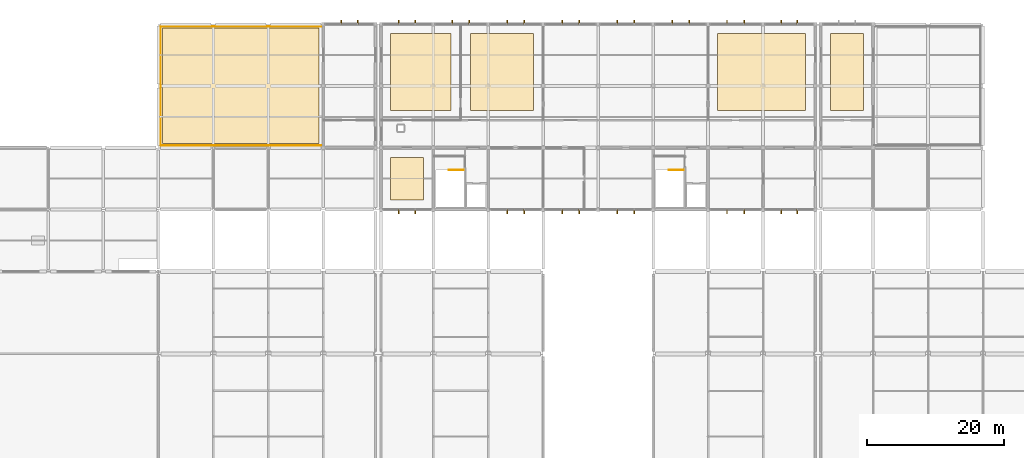
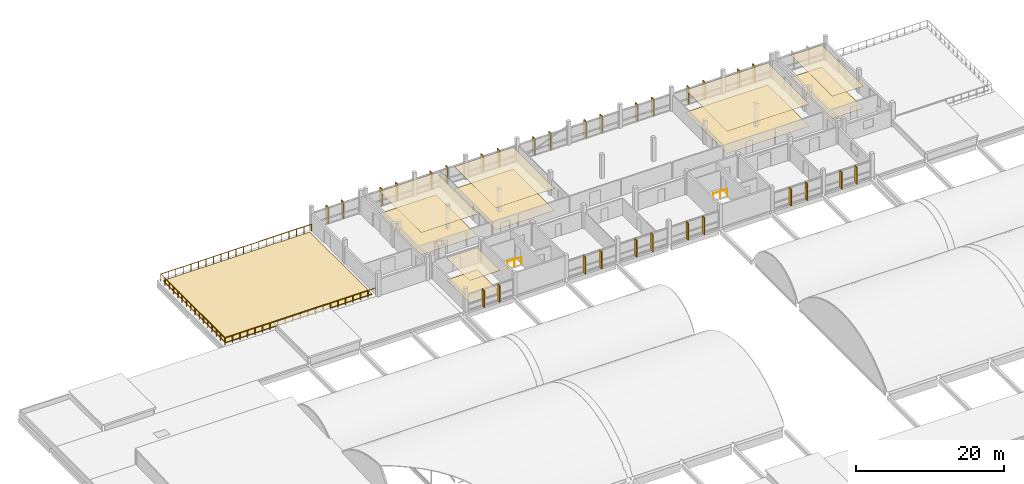
# One storey, part 56 of 57: 30 shading devices, 11 coverings, 3 railings.
"""IFC4 building model written with IfcOpenShell, lengths in metres."""

from ifc_helpers import new_model, si_unit, direction, frame, origin, origin_2d, place, context, subcontext, project, spatial, polyline, rectangle, circle, outline, extrude, material, layer, layer_set, type_object, element, save


model = new_model("IFC4")

# Units and contexts
model_context = context("Model", 3, precision=1e-05, world=origin(), true_north=direction((0.0, 1.0)))
body_context = subcontext(model_context, "Body", "Model", "MODEL_VIEW")
ifc_project = project(units=[si_unit("LENGTHUNIT", "METRE"), si_unit("AREAUNIT", "SQUARE_METRE"), si_unit("VOLUMEUNIT", "CUBIC_METRE"), si_unit("PLANEANGLEUNIT", "RADIAN"), si_unit("MASSUNIT", "GRAM", prefix="KILO"), si_unit("THERMODYNAMICTEMPERATUREUNIT", "KELVIN"), si_unit("POWERUNIT", "WATT")], contexts=[model_context])

# Site, building, storey
site_placement = place(None, origin())
site = spatial("IfcSite", under=ifc_project, at=site_placement, CompositionType="ELEMENT")
building_placement = place(site_placement, origin())
building = spatial("IfcBuilding", under=site, at=building_placement, Name="Kronsvod Quay Wholesale Market", CompositionType="ELEMENT")
storey_placement = place(building_placement, frame((0.0, 0.0, 13.199951171875)))
storey = spatial("IfcBuildingStorey", under=building, at=storey_placement, Name="L03", CompositionType="ELEMENT", Elevation=13.199951171875)

# Coverings
ifc_material_1 = material(Name="Perforated acoustic mineral-wool ceiling")
ifc_layer_1 = layer(ifc_material_1, 0.030029296875)
ifc_layer_set_1 = layer_set([ifc_layer_1], Name="Perforated acoustic mineral-wool ceiling")
covering_type_1 = type_object("IfcCoveringType", Name="Cov_Ceil01", PredefinedType="CEILING", material=ifc_layer_set_1)
covering_1_placement = place(storey_placement, frame((0.0, 0.0, 3.630126953125)))
element("IfcCovering", 1, at=covering_1_placement, inside=storey, type_object=covering_type_1, Name="CLG-SP-L03-V5-14A", PredefinedType="CEILING", context=body_context, shape_type="SweptSolid", body=[
    extrude(outline(polyline([(65.800048828125, 113.39990234375), (74.60009765625, 113.39990234375), (74.60009765625, 124.60009765625), (65.800048828125, 124.60009765625), (65.800048828125, 113.39990234375)])), origin(), (0.0, 0.0, 1.0), 0.030029296875),
])
ifc_material_2 = material(Name="Hygienic washable aluminium baffle ceiling", Category="aluminium")
ifc_layer_2 = layer(ifc_material_2, 0.034912109375)
ifc_layer_set_2 = layer_set([ifc_layer_2], Name="Hygienic washable aluminium baffle ceiling")
covering_type_2 = type_object("IfcCoveringType", Name="Cov_Ceil02", PredefinedType="CEILING", material=ifc_layer_set_2)
covering_2_placement = place(storey_placement, frame((0.0, 0.0, 3.625)))
element("IfcCovering", 2, at=covering_2_placement, inside=storey, type_object=covering_type_2, Name="CLG-SP-L03-V5-04", PredefinedType="CEILING", context=body_context, shape_type="SweptSolid", body=[
    extrude(outline(polyline([(65.800048828125, 100.39990234375), (70.60009765625, 100.39990234375), (70.60009765625, 106.60009765625), (65.800048828125, 106.60009765625), (65.800048828125, 100.39990234375)])), origin(), (0.0, 0.0, 1.0), 0.03515625),
])
ifc_material_3 = material(Name="Moisture-resistant gypsum board ceiling")
ifc_layer_3 = layer(ifc_material_3, 0.02490234375)
ifc_layer_set_3 = layer_set([ifc_layer_3], Name="Moisture-resistant gypsum board ceiling")
covering_type_3 = type_object("IfcCoveringType", Name="Cov_Ceil03", PredefinedType="CEILING", material=ifc_layer_set_3)
covering_3_placement = place(storey_placement, frame((0.0, 0.0, 3.635009765625)))
element("IfcCovering", 3, at=covering_3_placement, inside=storey, type_object=covering_type_3, Name="CLG-SP-L03-V5-14B", PredefinedType="CEILING", context=body_context, shape_type="SweptSolid", body=[
    extrude(outline(polyline([(77.39990234375, 113.39990234375), (86.60009765625, 113.39990234375), (86.60009765625, 124.60009765625), (77.39990234375, 124.60009765625), (77.39990234375, 113.39990234375)])), origin(), (0.0, 0.0, 1.0), 0.025146484375),
])
covering_4_placement = place(storey_placement, frame((0.0, 0.0, 3.635009765625)))
element("IfcCovering", 4, at=covering_4_placement, inside=storey, type_object=covering_type_3, Name="CLG-SP-L03-V5-16", PredefinedType="CEILING", context=body_context, shape_type="SweptSolid", body=[
    extrude(outline(polyline([(113.39990234375, 113.39990234375), (126.199951171875, 113.39990234375), (126.199951171875, 124.60009765625), (113.39990234375, 124.60009765625), (113.39990234375, 113.39990234375)])), origin(), (0.0, 0.0, 1.0), 0.025146484375),
])
covering_5_placement = place(storey_placement, frame((0.0, 0.0, 3.635009765625)))
element("IfcCovering", 5, at=covering_5_placement, inside=storey, type_object=covering_type_3, Name="CLG-SP-L03-V5-17E", PredefinedType="CEILING", context=body_context, shape_type="SweptSolid", body=[
    extrude(outline(polyline([(129.800048828125, 113.39990234375), (134.60009765625, 113.39990234375), (134.60009765625, 124.60009765625), (129.800048828125, 124.60009765625), (129.800048828125, 113.39990234375)])), origin(), (0.0, 0.0, 1.0), 0.025146484375),
])
ifc_material_4 = material(Name="Heavy-duty polyurethane resin market screed")
ifc_layer_4 = layer(ifc_material_4, 0.02001953125)
ifc_layer_set_4 = layer_set([ifc_layer_4], Name="Heavy-duty polyurethane resin market screed")
covering_type_4 = type_object("IfcCoveringType", Name="Cov_Floor01", PredefinedType="FLOORING", material=ifc_layer_set_4)
covering_6_placement = place(storey_placement, origin())
element("IfcCovering", 6, at=covering_6_placement, inside=storey, type_object=covering_type_4, Name="FLR-SP-L03-V5-14B", PredefinedType="FLOORING", context=body_context, shape_type="SweptSolid", body=[
    extrude(outline(polyline([(77.39990234375, 113.39990234375), (86.60009765625, 113.39990234375), (86.60009765625, 124.60009765625), (77.39990234375, 124.60009765625), (77.39990234375, 113.39990234375)])), origin(), (0.0, 0.0, 1.0), 0.02001953125),
])
covering_7_placement = place(storey_placement, origin())
element("IfcCovering", 7, at=covering_7_placement, inside=storey, type_object=covering_type_4, Name="FLR-SP-L03-V5-16", PredefinedType="FLOORING", context=body_context, shape_type="SweptSolid", body=[
    extrude(outline(polyline([(113.39990234375, 113.39990234375), (126.199951171875, 113.39990234375), (126.199951171875, 124.60009765625), (113.39990234375, 124.60009765625), (113.39990234375, 113.39990234375)])), origin(), (0.0, 0.0, 1.0), 0.02001953125),
])
covering_8_placement = place(storey_placement, origin())
element("IfcCovering", 8, at=covering_8_placement, inside=storey, type_object=covering_type_4, Name="FLR-SP-L03-V5-17E", PredefinedType="FLOORING", context=body_context, shape_type="SweptSolid", body=[
    extrude(outline(polyline([(129.800048828125, 113.39990234375), (134.60009765625, 113.39990234375), (134.60009765625, 124.60009765625), (129.800048828125, 124.60009765625), (129.800048828125, 113.39990234375)])), origin(), (0.0, 0.0, 1.0), 0.02001953125),
])
ifc_material_5 = material(Name="Polished terrazzo concourse flooring")
ifc_layer_5 = layer(ifc_material_5, 0.01806640625)
ifc_layer_set_5 = layer_set([ifc_layer_5], Name="Polished terrazzo concourse flooring")
covering_type_5 = type_object("IfcCoveringType", Name="Cov_Floor03", PredefinedType="FLOORING", material=ifc_layer_set_5)
covering_9_placement = place(storey_placement, origin())
element("IfcCovering", 9, at=covering_9_placement, inside=storey, type_object=covering_type_5, Name="FLR-SP-L03-V5-14A", PredefinedType="FLOORING", context=body_context, shape_type="SweptSolid", body=[
    extrude(outline(polyline([(65.800048828125, 113.39990234375), (74.60009765625, 113.39990234375), (74.60009765625, 124.60009765625), (65.800048828125, 124.60009765625), (65.800048828125, 113.39990234375)])), origin(), (0.0, 0.0, 1.0), 0.01806640625),
])
ifc_material_6 = material(Name="Antistatic laboratory vinyl flooring")
ifc_layer_6 = layer(ifc_material_6, 0.014892578125)
ifc_layer_set_6 = layer_set([ifc_layer_6], Name="Antistatic laboratory vinyl flooring")
covering_type_6 = type_object("IfcCoveringType", Name="Cov_Floor04", PredefinedType="FLOORING", material=ifc_layer_set_6)
covering_10_placement = place(storey_placement, origin())
element("IfcCovering", 10, at=covering_10_placement, inside=storey, type_object=covering_type_6, Name="FLR-SP-L03-V5-04", PredefinedType="FLOORING", context=body_context, shape_type="SweptSolid", body=[
    extrude(outline(polyline([(65.800048828125, 100.39990234375), (70.60009765625, 100.39990234375), (70.60009765625, 106.60009765625), (65.800048828125, 106.60009765625), (65.800048828125, 100.39990234375)])), origin(), (0.0, 0.0, 1.0), 0.01513671875),
])
ifc_material_7 = material(Name="Planted green roof sedum substrate")
ifc_layer_7 = layer(ifc_material_7, 0.139892578125)
ifc_layer_set_7 = layer_set([ifc_layer_7], Name="Planted green roof sedum substrate")
covering_type_7 = type_object("IfcCoveringType", Name="Cov_GreenRoofSubstrate", PredefinedType="ROOFING", material=ifc_layer_set_7)
covering_11_placement = place(storey_placement, origin())
element("IfcCovering", 11, at=covering_11_placement, inside=storey, type_object=covering_type_7, Name="COV-GD-L03HW", PredefinedType="ROOFING", context=body_context, shape_type="SweptSolid", body=[
    extrude(outline(polyline([(32.60009765625, 108.60009765625), (55.39990234375, 108.60009765625), (55.39990234375, 125.39990234375), (32.60009765625, 125.39990234375), (32.60009765625, 108.60009765625)])), origin(), (0.0, 0.0, 1.0), 0.14013671875),
])

# Railings
ifc_material_8 = material(Name="Stainless steel and laminated glass", Category="steel")
railing_type_1 = type_object("IfcRailingType", Name="Railing_Balustrade1150", PredefinedType="BALUSTRADE", material=ifc_material_8)
railing_placement = place(storey_placement, frame((55.800048828125, 108.35009765625, 0.0)))
element("IfcRailing", 12, at=railing_placement, inside=storey, type_object=railing_type_1, Name="GRD-L03-GDW", PredefinedType="BALUSTRADE", context=body_context, shape_type="SweptSolid", body=[
    extrude(circle(Radius=0.02392578125, at=origin_2d()), frame((0.0, 0.0, 1.1259765625), z_axis=(-1.0, 0.0, 0.0), x_axis=(0.0, -1.0, 0.0)), (0.0, 0.0, 1.0), 23.449951171875),
    extrude(circle(Radius=0.02392578125, at=origin_2d()), frame((-23.449951171875, 0.0, 1.1259765625), z_axis=(0.0, 1.0, 0.0), x_axis=(-1.0, 0.0, 0.0)), (0.0, 0.0, 1.0), 17.2998046875),
    extrude(circle(Radius=0.02392578125, at=origin_2d()), frame((-23.449951171875, 17.2998046875, 1.1259765625), z_axis=(1.0, 0.0, 0.0), x_axis=(0.0, 1.0, 0.0)), (0.0, 0.0, 1.0), 23.449951171875),
    extrude(circle(Radius=0.02099609375, at=origin_2d()), origin(), (0.0, 0.0, 1.0), 1.101806640625),
    extrude(circle(Radius=0.02099609375, at=origin_2d()), frame((-1.172607421875, 0.0, 0.0)), (0.0, 0.0, 1.0), 1.101806640625),
    extrude(circle(Radius=0.02099609375, at=origin_2d()), frame((-2.344970703125, 0.0, 0.0)), (0.0, 0.0, 1.0), 1.101806640625),
    extrude(circle(Radius=0.02099609375, at=origin_2d()), frame((-3.517578125, 0.0, 0.0)), (0.0, 0.0, 1.0), 1.101806640625),
    extrude(circle(Radius=0.02099609375, at=origin_2d()), frame((-4.68994140625, 0.0, 0.0)), (0.0, 0.0, 1.0), 1.101806640625),
    extrude(circle(Radius=0.02099609375, at=origin_2d()), frame((-5.862548828125, 0.0, 0.0)), (0.0, 0.0, 1.0), 1.101806640625),
    extrude(circle(Radius=0.02099609375, at=origin_2d()), frame((-7.034912109375, 0.0, 0.0)), (0.0, 0.0, 1.0), 1.101806640625),
    extrude(circle(Radius=0.02099609375, at=origin_2d()), frame((-8.20751953125, 0.0, 0.0)), (0.0, 0.0, 1.0), 1.101806640625),
    extrude(circle(Radius=0.02099609375, at=origin_2d()), frame((-9.3798828125, 0.0, 0.0)), (0.0, 0.0, 1.0), 1.101806640625),
    extrude(circle(Radius=0.02099609375, at=origin_2d()), frame((-10.552490234375, 0.0, 0.0)), (0.0, 0.0, 1.0), 1.101806640625),
    extrude(circle(Radius=0.02099609375, at=origin_2d()), frame((-11.72509765625, 0.0, 0.0)), (0.0, 0.0, 1.0), 1.101806640625),
    extrude(circle(Radius=0.02099609375, at=origin_2d()), frame((-12.8974609375, 0.0, 0.0)), (0.0, 0.0, 1.0), 1.101806640625),
    extrude(circle(Radius=0.02099609375, at=origin_2d()), frame((-14.070068359375, 0.0, 0.0)), (0.0, 0.0, 1.0), 1.101806640625),
    extrude(circle(Radius=0.02099609375, at=origin_2d()), frame((-15.242431640625, 0.0, 0.0)), (0.0, 0.0, 1.0), 1.101806640625),
    extrude(circle(Radius=0.02099609375, at=origin_2d()), frame((-16.4150390625, 0.0, 0.0)), (0.0, 0.0, 1.0), 1.101806640625),
    extrude(circle(Radius=0.02099609375, at=origin_2d()), frame((-17.58740234375, 0.0, 0.0)), (0.0, 0.0, 1.0), 1.101806640625),
    extrude(circle(Radius=0.02099609375, at=origin_2d()), frame((-18.760009765625, 0.0, 0.0)), (0.0, 0.0, 1.0), 1.101806640625),
    extrude(circle(Radius=0.02099609375, at=origin_2d()), frame((-19.932373046875, 0.0, 0.0)), (0.0, 0.0, 1.0), 1.101806640625),
    extrude(circle(Radius=0.02099609375, at=origin_2d()), frame((-21.10498046875, 0.0, 0.0)), (0.0, 0.0, 1.0), 1.101806640625),
    extrude(circle(Radius=0.02099609375, at=origin_2d()), frame((-22.27734375, 0.0, 0.0)), (0.0, 0.0, 1.0), 1.101806640625),
    extrude(circle(Radius=0.02099609375, at=origin_2d()), frame((-23.449951171875, 0.0, 0.0)), (0.0, 0.0, 1.0), 1.101806640625),
    extrude(circle(Radius=0.02099609375, at=origin_2d()), frame((-23.449951171875, 1.1533203125, 0.0)), (0.0, 0.0, 1.0), 1.101806640625),
    extrude(circle(Radius=0.02099609375, at=origin_2d()), frame((-23.449951171875, 2.306640625, 0.0)), (0.0, 0.0, 1.0), 1.101806640625),
    extrude(circle(Radius=0.02099609375, at=origin_2d()), frame((-23.449951171875, 3.4599609375, 0.0)), (0.0, 0.0, 1.0), 1.101806640625),
    extrude(circle(Radius=0.02099609375, at=origin_2d()), frame((-23.449951171875, 4.61328125, 0.0)), (0.0, 0.0, 1.0), 1.101806640625),
    extrude(circle(Radius=0.02099609375, at=origin_2d()), frame((-23.449951171875, 5.7666015625, 0.0)), (0.0, 0.0, 1.0), 1.101806640625),
    extrude(circle(Radius=0.02099609375, at=origin_2d()), frame((-23.449951171875, 6.919921875, 0.0)), (0.0, 0.0, 1.0), 1.101806640625),
    extrude(circle(Radius=0.02099609375, at=origin_2d()), frame((-23.449951171875, 8.0732421875, 0.0)), (0.0, 0.0, 1.0), 1.101806640625),
    extrude(circle(Radius=0.02099609375, at=origin_2d()), frame((-23.449951171875, 9.2265625, 0.0)), (0.0, 0.0, 1.0), 1.101806640625),
    extrude(circle(Radius=0.02099609375, at=origin_2d()), frame((-23.449951171875, 10.3798828125, 0.0)), (0.0, 0.0, 1.0), 1.101806640625),
    extrude(circle(Radius=0.02099609375, at=origin_2d()), frame((-23.449951171875, 11.533203125, 0.0)), (0.0, 0.0, 1.0), 1.101806640625),
    extrude(circle(Radius=0.02099609375, at=origin_2d()), frame((-23.449951171875, 12.6865234375, 0.0)), (0.0, 0.0, 1.0), 1.101806640625),
    extrude(circle(Radius=0.02099609375, at=origin_2d()), frame((-23.449951171875, 13.83984375, 0.0)), (0.0, 0.0, 1.0), 1.101806640625),
    extrude(circle(Radius=0.02099609375, at=origin_2d()), frame((-23.449951171875, 14.9931640625, 0.0)), (0.0, 0.0, 1.0), 1.101806640625),
    extrude(circle(Radius=0.02099609375, at=origin_2d()), frame((-23.449951171875, 16.146484375, 0.0)), (0.0, 0.0, 1.0), 1.101806640625),
    extrude(circle(Radius=0.02099609375, at=origin_2d()), frame((-23.449951171875, 17.2998046875, 0.0)), (0.0, 0.0, 1.0), 1.101806640625),
    extrude(circle(Radius=0.02099609375, at=origin_2d()), frame((-22.27734375, 17.2998046875, 0.0)), (0.0, 0.0, 1.0), 1.101806640625),
    extrude(circle(Radius=0.02099609375, at=origin_2d()), frame((-21.10498046875, 17.2998046875, 0.0)), (0.0, 0.0, 1.0), 1.101806640625),
    extrude(circle(Radius=0.02099609375, at=origin_2d()), frame((-19.932373046875, 17.2998046875, 0.0)), (0.0, 0.0, 1.0), 1.101806640625),
    extrude(circle(Radius=0.02099609375, at=origin_2d()), frame((-18.760009765625, 17.2998046875, 0.0)), (0.0, 0.0, 1.0), 1.101806640625),
    extrude(circle(Radius=0.02099609375, at=origin_2d()), frame((-17.58740234375, 17.2998046875, 0.0)), (0.0, 0.0, 1.0), 1.101806640625),
    extrude(circle(Radius=0.02099609375, at=origin_2d()), frame((-16.4150390625, 17.2998046875, 0.0)), (0.0, 0.0, 1.0), 1.101806640625),
    extrude(circle(Radius=0.02099609375, at=origin_2d()), frame((-15.242431640625, 17.2998046875, 0.0)), (0.0, 0.0, 1.0), 1.101806640625),
    extrude(circle(Radius=0.02099609375, at=origin_2d()), frame((-14.070068359375, 17.2998046875, 0.0)), (0.0, 0.0, 1.0), 1.101806640625),
    extrude(circle(Radius=0.02099609375, at=origin_2d()), frame((-12.8974609375, 17.2998046875, 0.0)), (0.0, 0.0, 1.0), 1.101806640625),
    extrude(circle(Radius=0.02099609375, at=origin_2d()), frame((-11.72509765625, 17.2998046875, 0.0)), (0.0, 0.0, 1.0), 1.101806640625),
    extrude(circle(Radius=0.02099609375, at=origin_2d()), frame((-10.552490234375, 17.2998046875, 0.0)), (0.0, 0.0, 1.0), 1.101806640625),
    extrude(circle(Radius=0.02099609375, at=origin_2d()), frame((-9.3798828125, 17.2998046875, 0.0)), (0.0, 0.0, 1.0), 1.101806640625),
    extrude(circle(Radius=0.02099609375, at=origin_2d()), frame((-8.20751953125, 17.2998046875, 0.0)), (0.0, 0.0, 1.0), 1.101806640625),
    extrude(circle(Radius=0.02099609375, at=origin_2d()), frame((-7.034912109375, 17.2998046875, 0.0)), (0.0, 0.0, 1.0), 1.101806640625),
    extrude(circle(Radius=0.02099609375, at=origin_2d()), frame((-5.862548828125, 17.2998046875, 0.0)), (0.0, 0.0, 1.0), 1.101806640625),
    extrude(circle(Radius=0.02099609375, at=origin_2d()), frame((-4.68994140625, 17.2998046875, 0.0)), (0.0, 0.0, 1.0), 1.101806640625),
    extrude(circle(Radius=0.02099609375, at=origin_2d()), frame((-3.517578125, 17.2998046875, 0.0)), (0.0, 0.0, 1.0), 1.101806640625),
    extrude(circle(Radius=0.02099609375, at=origin_2d()), frame((-2.344970703125, 17.2998046875, 0.0)), (0.0, 0.0, 1.0), 1.101806640625),
    extrude(circle(Radius=0.02099609375, at=origin_2d()), frame((-1.172607421875, 17.2998046875, 0.0)), (0.0, 0.0, 1.0), 1.101806640625),
    extrude(circle(Radius=0.02099609375, at=origin_2d()), frame((0.0, 17.2998046875, 0.0)), (0.0, 0.0, 1.0), 1.101806640625),
])
ifc_material_9 = material(Name="Stainless steel", Category="steel")
railing_type_2 = type_object("IfcRailingType", Name="Railing_Guard1200", PredefinedType="GUARDRAIL", material=ifc_material_9)
for number, where, name in (
    (13, (74.260009765625, 104.760009765625, 0.0), "ST08-L02-TOP-GRD"),
    (14, (106.260009765625, 104.760009765625, 0.0), "ST09-L02-TOP-GRD"),
):
    element("IfcRailing", number, at=place(storey_placement, frame(where)), inside=storey, type_object=railing_type_2, Name=name, PredefinedType="GUARDRAIL", context=body_context, shape_type="SweptSolid", body=[
        extrude(circle(Radius=0.02392578125, at=origin_2d()), frame((0.0, 0.0, 1.17578125), z_axis=(1.0, 0.0, 0.0), x_axis=(0.0, 1.0, 0.0)), (0.0, 0.0, 1.0), 2.179931640625),
        extrude(circle(Radius=0.02099609375, at=origin_2d()), origin(), (0.0, 0.0, 1.0), 1.15185546875),
        extrude(circle(Radius=0.02099609375, at=origin_2d()), frame((1.08984375, 0.0, 0.0)), (0.0, 0.0, 1.0), 1.15185546875),
        extrude(circle(Radius=0.02099609375, at=origin_2d()), frame((2.179931640625, 0.0, 0.0)), (0.0, 0.0, 1.0), 1.15185546875),
    ])

# Shading devices
ifc_material_10 = material(Name="Anodised aluminium", Category="aluminium")
shading_device_type = type_object("IfcShadingDeviceType", Name="Shade_SolarFin", PredefinedType="AWNING", material=ifc_material_10)
for number, where, z_axis, x_axis, name in (
    (15, (58.614990234375, 126.280029296875, -0.02001953125), (0.0, 0.0, 1.0), (1.0, 0.0, 0.0), "SHDF-CWGX-L03-560-1260-586"),
    (16, (60.985107421875, 126.280029296875, -0.02001953125), (0.0, 0.0, 1.0), (1.0, 0.0, 0.0), "SHDF-CWGX-L03-560-1260-610"),
    (17, (67.014892578125, 98.719970703125, -0.02001953125), (0.0, 0.0, 1.0), (1.0, 0.0, 0.0), "SHDF-CWGX-L03-644-990-670"),
    (18, (69.385009765625, 98.719970703125, -0.02001953125), (0.0, 0.0, 1.0), (1.0, 0.0, 0.0), "SHDF-CWGX-L03-644-990-694"),
    (19, (82.748291015625, 98.719970703125, -0.02001953125), (0.0, 0.0, 1.0), (1.0, 0.0, 0.0), "SHDF-CWGX-L03-800-990-827"),
    (20, (85.251708984375, 98.719970703125, -0.02001953125), (0.0, 0.0, 1.0), (1.0, 0.0, 0.0), "SHDF-CWGX-L03-800-990-853"),
    (21, (90.748291015625, 98.719970703125, -0.02001953125), (0.0, 0.0, 1.0), (1.0, 0.0, 0.0), "SHDF-CWGX-L03-880-990-907"),
    (22, (93.251708984375, 98.719970703125, -0.02001953125), (0.0, 0.0, 1.0), (1.0, 0.0, 0.0), "SHDF-CWGX-L03-880-990-933"),
    (23, (98.748291015625, 98.719970703125, -0.02001953125), (0.0, 0.0, 1.0), (1.0, 0.0, 0.0), "SHDF-CWGX-L03-960-990-987"),
    (24, (101.251708984375, 98.719970703125, -0.02001953125), (0.0, 0.0, 1.0), (1.0, 0.0, 0.0), "SHDF-CWGX-L03-960-990-1013"),
    (25, (114.748291015625, 98.719970703125, -0.02001953125), (0.0, 0.0, 1.0), (1.0, 0.0, 0.0), "SHDF-CWGX-L03-1120-990-1147"),
    (26, (117.251708984375, 98.719970703125, -0.02001953125), (0.0, 0.0, 1.0), (1.0, 0.0, 0.0), "SHDF-CWGX-L03-1120-990-1173"),
    (27, (122.614990234375, 98.719970703125, -0.02001953125), (0.0, 0.0, 1.0), (1.0, 0.0, 0.0), "SHDF-CWGX-L03-1200-990-1226"),
    (28, (124.985107421875, 98.719970703125, -0.02001953125), (0.0, 0.0, 1.0), (1.0, 0.0, 0.0), "SHDF-CWGX-L03-1200-990-1250"),
    (29, (67.014892578125, 126.280029296875, -0.02001953125), (0.0, 0.0, 1.0), (1.0, 0.0, 0.0), "SHDF-CWGX-L03-644-1260-670"),
    (30, (69.385009765625, 126.280029296875, -0.02001953125), (0.0, 0.0, 1.0), (1.0, 0.0, 0.0), "SHDF-CWGX-L03-644-1260-694"),
    (31, (74.748291015625, 126.280029296875, -0.02001953125), (0.0, 0.0, 1.0), (1.0, 0.0, 0.0), "SHDF-CWGX-L03-720-1260-747"),
    (32, (77.251708984375, 126.280029296875, -0.02001953125), (0.0, 0.0, 1.0), (1.0, 0.0, 0.0), "SHDF-CWGX-L03-720-1260-773"),
    (33, (82.748291015625, 126.280029296875, -0.02001953125), (0.0, 0.0, 1.0), (1.0, 0.0, 0.0), "SHDF-CWGX-L03-800-1260-827"),
    (34, (85.251708984375, 126.280029296875, -0.02001953125), (0.0, 0.0, 1.0), (1.0, 0.0, 0.0), "SHDF-CWGX-L03-800-1260-853"),
    (35, (90.748291015625, 126.280029296875, -0.02001953125), (0.0, 0.0, 1.0), (1.0, 0.0, 0.0), "SHDF-CWGX-L03-880-1260-907"),
    (36, (93.251708984375, 126.280029296875, -0.02001953125), (0.0, 0.0, 1.0), (1.0, 0.0, 0.0), "SHDF-CWGX-L03-880-1260-933"),
    (37, (98.748291015625, 126.280029296875, -0.02001953125), (0.0, 0.0, 1.0), (1.0, 0.0, 0.0), "SHDF-CWGX-L03-960-1260-987"),
    (38, (101.251708984375, 126.280029296875, -0.02001953125), (0.0, 0.0, 1.0), (1.0, 0.0, 0.0), "SHDF-CWGX-L03-960-1260-1013"),
    (39, (106.748291015625, 126.280029296875, -0.02001953125), (0.0, 0.0, 1.0), (1.0, 0.0, 0.0), "SHDF-CWGX-L03-1040-1260-1067"),
    (40, (109.251708984375, 126.280029296875, -0.02001953125), (0.0, 0.0, 1.0), (1.0, 0.0, 0.0), "SHDF-CWGX-L03-1040-1260-1093"),
    (41, (114.748291015625, 126.280029296875, -0.02001953125), (0.0, 0.0, 1.0), (1.0, 0.0, 0.0), "SHDF-CWGX-L03-1120-1260-1147"),
    (42, (117.251708984375, 126.280029296875, -0.02001953125), (0.0, 0.0, 1.0), (1.0, 0.0, 0.0), "SHDF-CWGX-L03-1120-1260-1173"),
    (43, (122.614990234375, 126.280029296875, -0.02001953125), (0.0, 0.0, 1.0), (1.0, 0.0, 0.0), "SHDF-CWGX-L03-1200-1260-1226"),
    (44, (124.985107421875, 126.280029296875, -0.02001953125), (0.0, 0.0, 1.0), (1.0, 0.0, 0.0), "SHDF-CWGX-L03-1200-1260-1250"),
):
    element("IfcShadingDevice", number, at=place(storey_placement, frame(where, z_axis=z_axis, x_axis=x_axis)), inside=storey, type_object=shading_device_type, Name=name, PredefinedType="AWNING", context=body_context, shape_type="SweptSolid", body=[
        extrude(rectangle(XDim=0.139892578125, YDim=0.6201171875, at=origin_2d()), origin(), (0.0, 0.0, 1.0), 2.7900390625),
    ])

save(model, "model.ifc")
